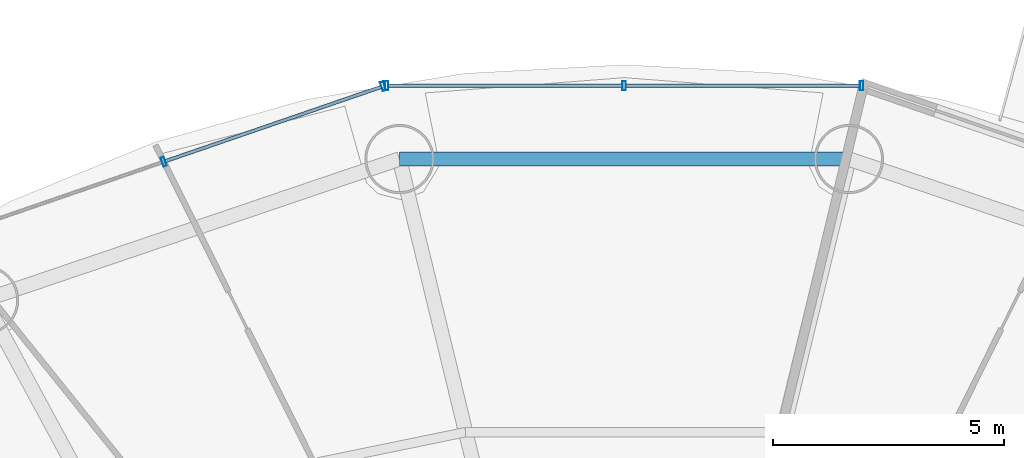
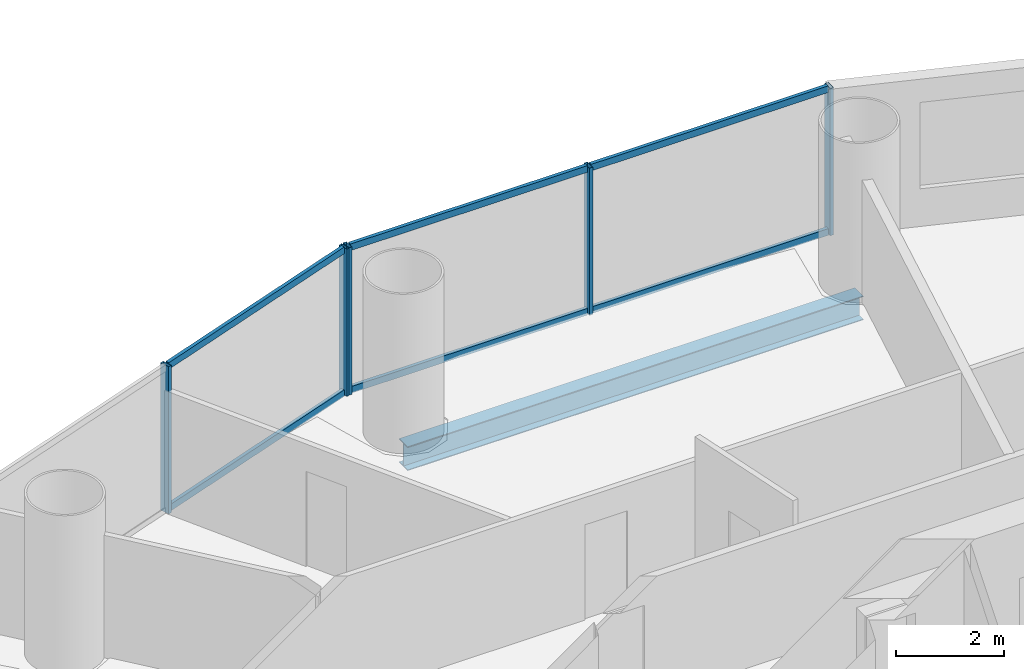
# One storey, part 17 of 28: 11 members, 1 beam, 2 elements without a shape of their own.
"""IFC4 building model written with IfcOpenShell, lengths in metres."""

from ifc_helpers import new_model, si_unit, direction, frame, origin, origin_2d, place, context, subcontext, project, spatial, hollow_rectangle, i_section, extrude, source, transform, mapped, material, material_profile, profile_set, type_object, element, aggregate, save


model = new_model("IFC4")

# Units and contexts
model_context = context("Model", 3, precision=1e-05, world=origin(), true_north=direction((-0.2419218956, 0.970295726276)))
body_context = subcontext(model_context, "Body", "Model", "MODEL_VIEW")
ifc_project = project(units=[si_unit("LENGTHUNIT", "METRE"), si_unit("AREAUNIT", "SQUARE_METRE"), si_unit("VOLUMEUNIT", "CUBIC_METRE"), si_unit("PLANEANGLEUNIT", "RADIAN"), si_unit("MASSUNIT", "GRAM", prefix="KILO")], contexts=[model_context])

# Site, building, storey
site_placement = place(None, origin())
site = spatial("IfcSite", under=ifc_project, at=site_placement, CompositionType="ELEMENT")
building_placement = place(site_placement, origin())
building = spatial("IfcBuilding", under=site, at=building_placement, Name="Cobrevalo Terracotta Tower", CompositionType="ELEMENT")
storey_placement = place(building_placement, frame((0.0, 0.0, 101.39990234375)))
storey = spatial("IfcBuildingStorey", under=building, at=storey_placement, Name="L26", CompositionType="ELEMENT", Elevation=101.39990234375)

# Beam
ifc_material_1 = material(Name="Steel S355", Category="steel")
ifc_material_profile_1 = material_profile(ifc_material_1, i_section(OverallWidth=0.31201171875, OverallDepth=0.54296875, WebThickness=0.0126953125, FlangeThickness=0.020263671875, at=origin_2d()), Name="W 530x150")
ifc_profile_set_1 = profile_set([ifc_material_profile_1], Name="Steel S355")
beam_type = type_object("IfcBeamType", Name="Structural Spandrel W 530x150 (Steel S355)", PredefinedType="SPANDREL", material=ifc_profile_set_1)
beam_placement = place(storey_placement, frame((42.867431640625, 46.857177734375, -0.54638671875), z_axis=(-1.0, 0.0, 0.0), x_axis=(0.0, -1.0, 0.0)))
element("IfcBeam", 1, at=beam_placement, inside=storey, type_object=beam_type, Name="L26 perimeter ring spandrel 04", PredefinedType="SPANDREL", context=body_context, shape_type="SweptSolid", body=[
    extrude(i_section(OverallWidth=0.31201171875, OverallDepth=0.54296875, WebThickness=0.0126953125, FlangeThickness=0.020263671875, at=origin_2d()), origin(), (0.0, 0.0, 1.0), 9.73486328125),
])

# Curtain wall, members
ifc_material_2 = material(Name="Anodized aluminium", Category="aluminium")
curtain_wall_type = type_object("IfcCurtainWallType", Name="Lower-tower unitised acoustic low-E curtain wall CW-U1", PredefinedType="NOTDEFINED", material=ifc_material_2)
curtain_wall_1_placement = place(storey_placement, origin())
curtain_wall_1 = element("IfcCurtainWall", 2, at=curtain_wall_1_placement, inside=storey, type_object=curtain_wall_type, Name="L26 curtain wall CW-L26-S05", PredefinedType="NOTDEFINED")
ifc_material_profile_2 = material_profile(ifc_material_2, hollow_rectangle(XDim=0.074951171875, YDim=0.14990234375, WallThickness=0.00439453125, at=origin_2d()), Name="CWT 75x150")
ifc_profile_set_2 = profile_set([ifc_material_profile_2], Name="Anodized aluminium")
member_type_1 = type_object("IfcMemberType", Name="Tower unitised aluminium transom 75x150", PredefinedType="USERDEFINED", material=ifc_profile_set_2)
shared_shape_1 = source(origin(), body_context, "Body", "SweptSolid", [
    extrude(hollow_rectangle(XDim=0.074951171875, YDim=0.14990234375, WallThickness=0.00439453125, at=origin_2d()), origin(), (0.0, 0.0, 1.0), 4.944580078125),
])
member_1_placement = place(storey_placement, frame((32.74072265625, 48.419921875, 0.050048828125), z_axis=(-0.945597859971, -0.32533780478, 0.0), x_axis=(0.32533780478, -0.945597859971, 0.0)))
member_1 = element("IfcMember", 3, at=member_1_placement, type_object=member_type_1, Name="CW-L26-S05 transom B01-T1", ObjectType="TRANSOM", PredefinedType="USERDEFINED", context=body_context, shape_type="MappedRepresentation", body=[
    mapped(shared_shape_1, transform((0.0, 0.0, 0.0), scale=1.0)),
])
member_2_placement = place(storey_placement, frame((32.74072265625, 48.419921875, 3.275146484375), z_axis=(-0.945597859971, -0.32533780478, 0.0), x_axis=(0.32533780478, -0.945597859971, 0.0)))
member_2 = element("IfcMember", 4, at=member_2_placement, type_object=member_type_1, Name="CW-L26-S05 transom B01-T2", ObjectType="TRANSOM", PredefinedType="USERDEFINED", context=body_context, shape_type="MappedRepresentation", body=[
    mapped(shared_shape_1, transform((0.0, 0.0, 0.0), scale=1.0)),
])

curtain_wall_2_placement = place(storey_placement, origin())
curtain_wall_2 = element("IfcCurtainWall", 5, at=curtain_wall_2_placement, inside=storey, type_object=curtain_wall_type, Name="L26 curtain wall CW-L26-S04", PredefinedType="NOTDEFINED")
shared_shape_2 = source(origin(), body_context, "Body", "SweptSolid", [
    extrude(hollow_rectangle(XDim=0.074951171875, YDim=0.14990234375, WallThickness=0.00439453125, at=origin_2d()), origin(), (0.0, 0.0, 1.0), 5.0634765625),
])
member_3_placement = place(storey_placement, frame((43.103515625, 48.446044921875, 0.050048828125), z_axis=(-1.0, 0.0, 0.0), x_axis=(0.0, -1.0, 0.0)))
member_3 = element("IfcMember", 6, at=member_3_placement, type_object=member_type_1, Name="CW-L26-S04 transom B01-T1", ObjectType="TRANSOM", PredefinedType="USERDEFINED", context=body_context, shape_type="MappedRepresentation", body=[
    mapped(shared_shape_2, transform((0.0, 0.0, 0.0), scale=1.0)),
])
member_4_placement = place(storey_placement, frame((43.103515625, 48.446044921875, 3.275146484375), z_axis=(-1.0, 0.0, 0.0), x_axis=(0.0, -1.0, 0.0)))
member_4 = element("IfcMember", 7, at=member_4_placement, type_object=member_type_1, Name="CW-L26-S04 transom B01-T2", ObjectType="TRANSOM", PredefinedType="USERDEFINED", context=body_context, shape_type="MappedRepresentation", body=[
    mapped(shared_shape_2, transform((0.0, 0.0, 0.0), scale=1.0)),
])
member_5_placement = place(storey_placement, frame((37.9599609375, 48.446044921875, 0.050048828125), z_axis=(-1.0, 0.0, 0.0), x_axis=(0.0, -1.0, 0.0)))
member_5 = element("IfcMember", 8, at=member_5_placement, type_object=member_type_1, Name="CW-L26-S04 transom B02-T1", ObjectType="TRANSOM", PredefinedType="USERDEFINED", context=body_context, shape_type="MappedRepresentation", body=[
    mapped(shared_shape_2, transform((0.0, 0.0, 0.0), scale=1.0)),
])
member_6_placement = place(storey_placement, frame((37.9599609375, 48.446044921875, 3.275146484375), z_axis=(-1.0, 0.0, 0.0), x_axis=(0.0, -1.0, 0.0)))
member_6 = element("IfcMember", 9, at=member_6_placement, type_object=member_type_1, Name="CW-L26-S04 transom B02-T2", ObjectType="TRANSOM", PredefinedType="USERDEFINED", context=body_context, shape_type="MappedRepresentation", body=[
    mapped(shared_shape_2, transform((0.0, 0.0, 0.0), scale=1.0)),
])
ifc_material_profile_3 = material_profile(ifc_material_2, hollow_rectangle(XDim=0.074951171875, YDim=0.199951171875, WallThickness=0.0048828125, at=origin_2d()), Name="CWM 75x200")
ifc_profile_set_3 = profile_set([ifc_material_profile_3], Name="Anodized aluminium")
member_type_2 = type_object("IfcMemberType", Name="Lower/mid tower unitised mullion 75x200", PredefinedType="MULLION", material=ifc_profile_set_3)
shared_shape_3 = source(origin(), body_context, "Body", "SweptSolid", [
    extrude(hollow_rectangle(XDim=0.074951171875, YDim=0.199951171875, WallThickness=0.0048828125, at=origin_2d()), origin(), (0.0, 0.0, 1.0), 3.3251953125),
])
member_7_placement = place(storey_placement, frame((43.1435546875, 48.446044921875, 0.0), z_axis=(0.0, 0.0, 1.0), x_axis=(-1.0, 0.0, 0.0)))
member_7 = element("IfcMember", 10, at=member_7_placement, type_object=member_type_2, Name="CW-L26-S04 vertical mullion 01", PredefinedType="MULLION", context=body_context, shape_type="MappedRepresentation", body=[
    mapped(shared_shape_3, transform((0.0, 0.0, 0.0), scale=1.0)),
])
member_8_placement = place(storey_placement, frame((38.0, 48.446044921875, 0.0), z_axis=(0.0, 0.0, 1.0), x_axis=(-1.0, 0.0, 0.0)))
member_8 = element("IfcMember", 11, at=member_8_placement, type_object=member_type_2, Name="CW-L26-S04 vertical mullion 02", PredefinedType="MULLION", context=body_context, shape_type="MappedRepresentation", body=[
    mapped(shared_shape_3, transform((0.0, 0.0, 0.0), scale=1.0)),
])
member_9_placement = place(storey_placement, frame((32.8564453125, 48.446044921875, 0.0), z_axis=(0.0, 0.0, 1.0), x_axis=(-1.0, 0.0, 0.0)))
member_9 = element("IfcMember", 12, at=member_9_placement, type_object=member_type_2, Name="CW-L26-S04 vertical mullion 03", PredefinedType="MULLION", context=body_context, shape_type="MappedRepresentation", body=[
    mapped(shared_shape_3, transform((0.0, 0.0, 0.0), scale=1.0)),
])
aggregate(curtain_wall_2, [member_7, member_8, member_9, member_3, member_4, member_5, member_6])

# Member
member_10_placement = place(storey_placement, frame((32.778564453125, 48.432861328125, 0.0), z_axis=(0.0, 0.0, 1.0), x_axis=(-0.94559809868, -0.325337110968, 0.0)))
member_10 = element("IfcMember", 13, at=member_10_placement, type_object=member_type_2, Name="CW-L26-S05 vertical mullion 01", PredefinedType="MULLION", context=body_context, shape_type="MappedRepresentation", body=[
    mapped(shared_shape_3, transform((0.0, 0.0, 0.0), scale=1.0)),
])

member_11_placement = place(storey_placement, frame((28.027587890625, 46.79833984375, 0.0), z_axis=(0.0, 0.0, 1.0), x_axis=(-0.94559809868, -0.325337110968, 0.0)))
member_11 = element("IfcMember", 14, at=member_11_placement, type_object=member_type_2, Name="CW-L26-S05 vertical mullion 02", PredefinedType="MULLION", context=body_context, shape_type="MappedRepresentation", body=[
    mapped(shared_shape_3, transform((0.0, 0.0, 0.0), scale=1.0)),
])

aggregate(curtain_wall_1, [member_10, member_11, member_1, member_2])

save(model, "model.ifc")
